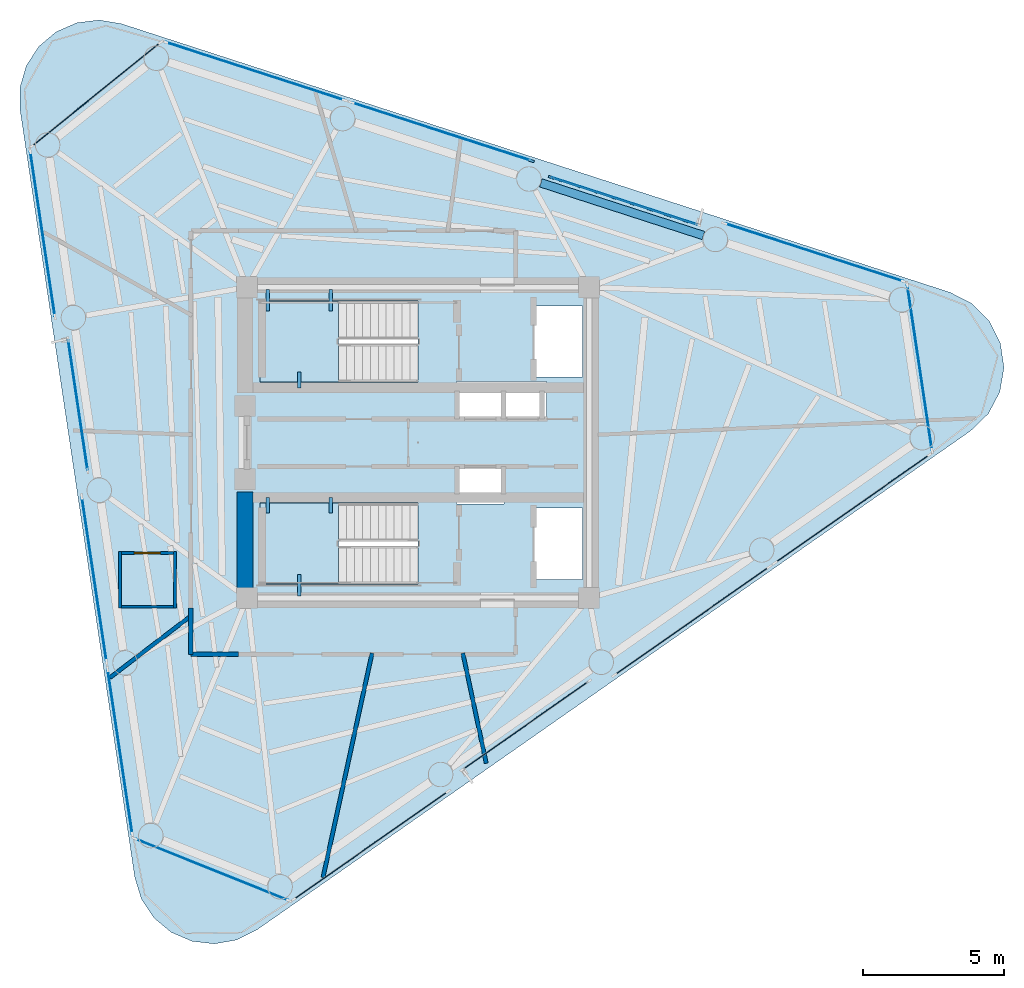
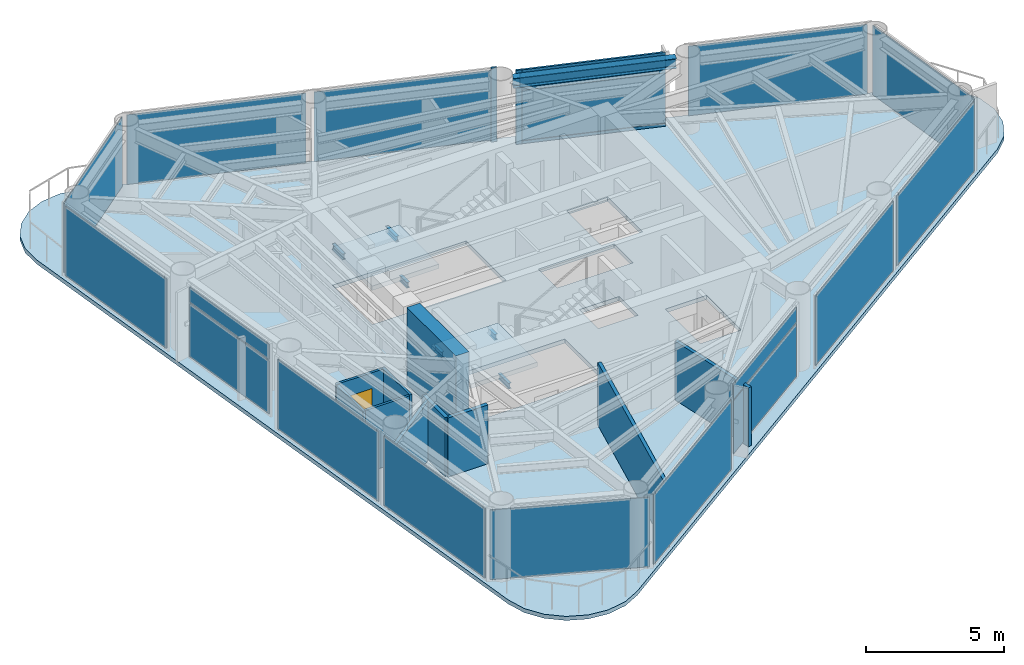
# One storey, part 4 of 9: 18 plates, 10 walls, 7 beams, 5 members, 3 slabs, 1 door, 1 opening, 17 elements without a shape of their own.
"""IFC4 building model written with IfcOpenShell, lengths in metres."""

from ifc_helpers import new_model, si_unit, direction, frame, frame_2d, origin, origin_2d, place, context, subcontext, project, spatial, polyline, rectangle, i_section, outline, extrude, source, transform, mapped, material, layer, layer_set, material_profile, profile_set, type_object, element, fill, aggregate, save


model = new_model("IFC4")

# Units and contexts
model_context = context("Model", 3, precision=1e-05, world=origin(), true_north=direction((0.0, 1.0)))
body_context = subcontext(model_context, "Body", "Model", "MODEL_VIEW")
ifc_project = project(units=[si_unit("LENGTHUNIT", "METRE"), si_unit("AREAUNIT", "SQUARE_METRE"), si_unit("VOLUMEUNIT", "CUBIC_METRE"), si_unit("PLANEANGLEUNIT", "RADIAN"), si_unit("MASSUNIT", "GRAM", prefix="KILO")], contexts=[model_context])

# Site, building, storey
site_placement = place(None, origin())
site = spatial("IfcSite", under=ifc_project, at=site_placement, CompositionType="ELEMENT")
building_placement = place(site_placement, origin())
building = spatial("IfcBuilding", under=site, at=building_placement, Name="Yunling Apex Tower", CompositionType="ELEMENT")
storey_placement = place(building_placement, frame((0.0, 0.0, 260.949951171875)))
storey = spatial("IfcBuildingStorey", under=building, at=storey_placement, Name="L63", CompositionType="ELEMENT", Elevation=260.949951171875)

# Beams
ifc_material_1 = material(Name="Steel Q355B", Category="steel")
ifc_material_profile_1 = material_profile(ifc_material_1, i_section(OverallWidth=0.125, OverallDepth=0.25, WebThickness=0.006103515625, FlangeThickness=0.009033203125, FilletRadius=0.011962890625, at=origin_2d()))
ifc_profile_set_1 = profile_set([ifc_material_profile_1], Name="Steel Q355B")
beam_type_1 = type_object("IfcBeamType", Name="BL-LNT-1", PredefinedType="LINTEL", material=ifc_profile_set_1)
shared_shape_1 = source(origin(), body_context, "Body", "SweptSolid", [
    extrude(i_section(OverallWidth=0.125, OverallDepth=0.25, WebThickness=0.006103515625, FlangeThickness=0.009033203125, FilletRadius=0.011962890625, at=origin_2d()), origin(), (0.0, 0.0, 1.0), 0.760009765625),
])
for number, where, z_axis, x_axis, name in (
    (1, (-5.320068359375, 5.419921875, 1.380126953125), (0.0, -1.0, 0.0), (1.0, 0.0, 0.0), "L63 ST-1 Landing Bearing Corbel 1-1"),
    (2, (-3.090087890625, 5.419921875, 1.380126953125), (0.0, -1.0, 0.0), (1.0, 0.0, 0.0), "L63 ST-1 Landing Bearing Corbel 1-2"),
    (3, (-4.205078125, -5.419921875, 1.380126953125), (0.0, 1.0, 0.0), (-1.0, 0.0, 0.0), "L63 ST-2 Landing Bearing Corbel 1-3"),
):
    element("IfcBeam", number, at=place(storey_placement, frame(where, z_axis=z_axis, x_axis=x_axis)), inside=storey, type_object=beam_type_1, Name=name, PredefinedType="LINTEL", context=body_context, shape_type="MappedRepresentation", body=[
        mapped(shared_shape_1, transform((0.0, 0.0, 0.0), scale=1.0)),
    ])
shared_shape_2 = source(origin(), body_context, "Body", "SweptSolid", [
    extrude(i_section(OverallWidth=0.125, OverallDepth=0.25, WebThickness=0.006103515625, FlangeThickness=0.009033203125, FilletRadius=0.011962890625, at=origin_2d()), origin(), (0.0, 0.0, 1.0), 0.550048828125),
])
for number, where, z_axis, x_axis, name in (
    (4, (-4.205078125, 1.93994140625, 1.380126953125), (0.0, 1.0, 0.0), (-1.0, 0.0, 0.0), "L63 ST-1 Landing Bearing Corbel 1-3"),
    (5, (-5.320068359375, -1.93994140625, 1.380126953125), (0.0, -1.0, 0.0), (1.0, 0.0, 0.0), "L63 ST-2 Landing Bearing Corbel 1-1"),
    (6, (-3.090087890625, -1.93994140625, 1.380126953125), (0.0, -1.0, 0.0), (1.0, 0.0, 0.0), "L63 ST-2 Landing Bearing Corbel 1-2"),
):
    element("IfcBeam", number, at=place(storey_placement, frame(where, z_axis=z_axis, x_axis=x_axis)), inside=storey, type_object=beam_type_1, Name=name, PredefinedType="LINTEL", context=body_context, shape_type="MappedRepresentation", body=[
        mapped(shared_shape_2, transform((0.0, 0.0, 0.0), scale=1.0)),
    ])
ifc_material_profile_2 = material_profile(ifc_material_1, i_section(OverallWidth=0.300048828125, OverallDepth=0.43994140625, WebThickness=0.010986328125, FlangeThickness=0.01806640625, FilletRadius=0.02197265625, at=origin_2d()))
ifc_profile_set_2 = profile_set([ifc_material_profile_2], Name="Steel Q355B")
beam_type_2 = type_object("IfcBeamType", Name="BP-SPN-3", PredefinedType="SPANDREL", material=ifc_profile_set_2)
shared_shape_3 = source(origin(), body_context, "Body", "SweptSolid", [
    extrude(i_section(OverallWidth=0.300048828125, OverallDepth=0.43994140625, WebThickness=0.010986328125, FlangeThickness=0.01806640625, FilletRadius=0.02197265625, at=origin_2d()), origin(), (0.0, 0.0, 1.0), 6.04345703125),
])
beam_placement = place(storey_placement, frame((10.09375, 7.326904296875, 3.0), z_axis=(-0.951272468705, 0.308351569289, 0.0), x_axis=(-0.308351569289, -0.951272468705, 0.0)))
element("IfcBeam", 7, at=beam_placement, inside=storey, type_object=beam_type_2, Name="L63 Perimeter Spandrel Beam 7", PredefinedType="SPANDREL", context=body_context, shape_type="MappedRepresentation", body=[
    mapped(shared_shape_3, transform((0.0, 0.0, 0.0), scale=1.0)),
])

# Curtain wall, member
ifc_material_2 = material(Name="Bronze anodised aluminium", Category="aluminium")
ifc_layer_1 = layer(ifc_material_2, 0.219970703125)
ifc_layer_set_1 = layer_set([ifc_layer_1], Name="Bronze anodised aluminium")
curtain_wall_type = type_object("IfcCurtainWallType", Name="CW-SYS-4", PredefinedType="NOTDEFINED", material=ifc_layer_set_1)
curtain_wall_1_placement = place(storey_placement, origin())
curtain_wall_1 = element("IfcCurtainWall", 8, at=curtain_wall_1_placement, inside=storey, type_object=curtain_wall_type, Name="CW-L63-F2-B2", PredefinedType="NOTDEFINED")
ifc_material_profile_3 = material_profile(ifc_material_2, rectangle(XDim=0.080078125, YDim=0.219970703125, at=origin_2d()))
ifc_profile_set_3 = profile_set([ifc_material_profile_3], Name="Bronze anodised aluminium")
member_type_1 = type_object("IfcMemberType", Name="CW-MUL-4", PredefinedType="MULLION", material=ifc_profile_set_3)
shared_shape_4 = source(origin(), body_context, "Body", "SweptSolid", [
    extrude(rectangle(XDim=0.080078125, YDim=0.219970703125, at=origin_2d()), origin(), (0.0, 0.0, 1.0), 3.320068359375),
])
member_1_placement = place(storey_placement, frame((4.71875, 9.384521484375, -0.050048828125), z_axis=(0.0, 0.0, 1.0), x_axis=(-0.30836941685, -0.951266683297, 0.0)))
member_1 = element("IfcMember", 9, at=member_1_placement, type_object=member_type_1, Name="CW-SYS-4 mullion 2", PredefinedType="MULLION", context=body_context, shape_type="MappedRepresentation", body=[
    mapped(shared_shape_4, transform((0.0, 0.0, 0.0), scale=1.0)),
])

curtain_wall_2_placement = place(storey_placement, origin())
curtain_wall_2 = element("IfcCurtainWall", 10, at=curtain_wall_2_placement, inside=storey, type_object=curtain_wall_type, Name="CW-L63-F2-B3", PredefinedType="NOTDEFINED")
member_2_placement = place(storey_placement, frame((4.00537109375, 9.97314453125, -0.050048828125), z_axis=(0.0, 0.0, 1.0), x_axis=(-0.308371076658, -0.95126614524, 0.0)))
member_2 = element("IfcMember", 11, at=member_2_placement, type_object=member_type_1, Name="CW-SYS-4 mullion 1", PredefinedType="MULLION", context=body_context, shape_type="MappedRepresentation", body=[
    mapped(shared_shape_4, transform((0.0, 0.0, 0.0), scale=1.0)),
])

# Member
ifc_material_profile_4 = material_profile(ifc_material_2, rectangle(XDim=0.080078125, YDim=0.169921875, at=origin_2d()))
ifc_profile_set_4 = profile_set([ifc_material_profile_4], Name="Bronze anodised aluminium")
member_type_2 = type_object("IfcMemberType", Name="CW-TRN-4", PredefinedType="USERDEFINED", material=ifc_profile_set_4)
shared_shape_5 = source(origin(), body_context, "Body", "SweptSolid", [
    extrude(rectangle(XDim=0.080078125, YDim=0.169921875, at=origin_2d()), origin(), (0.0, 0.0, 1.0), 5.3798828125),
])
member_3_placement = place(storey_placement, frame((9.87060546875, 7.71435546875, 0.0400390625), z_axis=(-0.951269238612, 0.308361534032, 0.0), x_axis=(-0.308361534032, -0.951269238612, 0.0)))
member_3 = element("IfcMember", 12, at=member_3_placement, type_object=member_type_2, Name="CW-SYS-4 transom 1.1", ObjectType="TRANSOM", PredefinedType="USERDEFINED", context=body_context, shape_type="MappedRepresentation", body=[
    mapped(shared_shape_5, transform((0.0, 0.0, 0.0), scale=1.0)),
])

member_4_placement = place(storey_placement, frame((9.87060546875, 7.71435546875, 2.447265625), z_axis=(-0.951269238612, 0.308361534032, 0.0), x_axis=(-0.308361534032, -0.951269238612, 0.0)))
member_4 = element("IfcMember", 13, at=member_4_placement, type_object=member_type_2, Name="CW-SYS-4 transom 1.2", ObjectType="TRANSOM", PredefinedType="USERDEFINED", context=body_context, shape_type="MappedRepresentation", body=[
    mapped(shared_shape_5, transform((0.0, 0.0, 0.0), scale=1.0)),
])

member_5_placement = place(storey_placement, frame((9.87060546875, 7.71435546875, 3.179931640625), z_axis=(-0.951269238612, 0.308361534032, 0.0), x_axis=(-0.308361534032, -0.951269238612, 0.0)))
member_5 = element("IfcMember", 14, at=member_5_placement, type_object=member_type_2, Name="CW-SYS-4 transom 1.3", ObjectType="TRANSOM", PredefinedType="USERDEFINED", context=body_context, shape_type="MappedRepresentation", body=[
    mapped(shared_shape_5, transform((0.0, 0.0, 0.0), scale=1.0)),
])

# Slab
ifc_material_3 = material(Name="Concrete C40", Category="concrete")
ifc_layer_2 = layer(ifc_material_3, 0.155029296875)
ifc_layer_set_2 = layer_set([ifc_layer_2], Name="Concrete C40")
slab_type_1 = type_object("IfcSlabType", Name="SL-FLR-3", PredefinedType="FLOOR", material=ifc_layer_set_2)
slab_1_placement = place(storey_placement, frame((0.0, 0.0, -0.179931640625)))
element("IfcSlab", 15, at=slab_1_placement, inside=storey, type_object=slab_type_1, Name="L63 Composite Tower Floor Slab", PredefinedType="FLOOR", context=body_context, shape_type="SweptSolid", body=[
    extrude(outline(polyline([(-10.026123046875, -15.378173828125), (-9.794189453125, -16.145263671875), (-9.352294921875, -16.81396484375), (-8.737548828125, -17.328125), (-8.001220703125, -17.64501953125), (-7.205078125, -17.7373046875), (-6.415771484375, -17.59814453125), (-5.69921875, -17.23876953125), (19.549072265625, 0.414306640625), (20.177490234375, 1.021728515625), (20.585205078125, 1.794921875), (20.731689453125, 2.656494140625), (20.6025390625, 3.52099609375), (20.21044921875, 4.302001953125), (19.594482421875, 4.922119140625), (18.81591796875, 5.3193359375), (-10.490478515625, 14.819091796875), (-11.280517578125, 14.95361328125), (-12.076171875, 14.855712890625), (-12.810302734375, 14.534423828125), (-13.422119140625, 14.016357421875), (-13.859619140625, 13.344970703125), (-14.086669921875, 12.576416015625), (-14.083984375, 11.77490234375), (-10.026123046875, -15.378173828125)]), holes=[polyline([(4.090087890625, 4.840087890625), (5.81005859375, 4.840087890625), (5.81005859375, 2.320068359375), (4.090087890625, 2.320068359375), (4.090087890625, 4.840087890625)]), polyline([(4.090087890625, -4.840087890625), (4.090087890625, -2.320068359375), (5.81005859375, -2.320068359375), (5.81005859375, -4.840087890625), (4.090087890625, -4.840087890625)]), polyline([(4.534912109375, 0.794921875), (1.364990234375, 0.794921875), (1.364990234375, 2.1650390625), (4.534912109375, 2.1650390625), (4.534912109375, 0.794921875)]), polyline([(1.364990234375, -0.794921875), (3.034912109375, -0.794921875), (3.034912109375, -2.1650390625), (1.364990234375, -2.1650390625), (1.364990234375, -0.794921875)]), polyline([(-0.010009765625, -5.010009765625), (-5.60009765625, -5.010009765625), (-5.60009765625, -2.139892578125), (-0.010009765625, -2.139892578125), (-0.010009765625, -5.010009765625)]), polyline([(-0.010009765625, 2.139892578125), (-5.60009765625, 2.139892578125), (-5.60009765625, 5.010009765625), (-0.010009765625, 5.010009765625), (-0.010009765625, 2.139892578125)])]), origin(), (0.0, 0.0, 1.0), 0.179931640625),
])

# Stair, slab
stair_type = type_object("IfcStairType", Name="ST-TWR-3", PredefinedType="HALF_TURN_STAIR", material=ifc_material_3)
stair_1_placement = place(storey_placement, origin())
stair_1 = element("IfcStair", 16, at=stair_1_placement, inside=storey, type_object=stair_type, Name="L63 North Core Smokeproof Exit Stair ST-1", PredefinedType="HALF_TURN_STAIR")
ifc_layer_3 = layer(ifc_material_3, 0.195068359375)
ifc_layer_set_3 = layer_set([ifc_layer_3], Name="Concrete C40")
slab_type_2 = type_object("IfcSlabType", Name="SL-LND-1", PredefinedType="LANDING", material=ifc_layer_set_3)
slab_2_placement = place(storey_placement, frame((0.0, 0.0, 1.505126953125)))
slab_2 = element("IfcSlab", 17, at=slab_2_placement, type_object=slab_type_2, Name="ST-1 landing 1", PredefinedType="LANDING", context=body_context, shape_type="SweptSolid", body=[
    extrude(outline(polyline([(-2.81005859375, 5.010009765625), (-5.60009765625, 5.010009765625), (-5.60009765625, 2.139892578125), (-2.81005859375, 2.139892578125), (-2.81005859375, 5.010009765625)])), origin(), (0.0, 0.0, 1.0), 0.19482421875),
])
aggregate(stair_1, [slab_2])

stair_2_placement = place(storey_placement, origin())
stair_2 = element("IfcStair", 18, at=stair_2_placement, inside=storey, type_object=stair_type, Name="L63 South Core Smokeproof Exit Stair ST-2", PredefinedType="HALF_TURN_STAIR")
slab_3_placement = place(storey_placement, frame((0.0, 0.0, 1.505126953125)))
slab_3 = element("IfcSlab", 19, at=slab_3_placement, type_object=slab_type_2, Name="ST-2 landing 1", PredefinedType="LANDING", context=body_context, shape_type="SweptSolid", body=[
    extrude(outline(polyline([(-2.81005859375, -2.139892578125), (-5.60009765625, -2.139892578125), (-5.60009765625, -5.010009765625), (-2.81005859375, -5.010009765625), (-2.81005859375, -2.139892578125)])), origin(), (0.0, 0.0, 1.0), 0.19482421875),
])
aggregate(stair_2, [slab_3])

# Curtain wall, plate
curtain_wall_3_placement = place(storey_placement, origin())
curtain_wall_3 = element("IfcCurtainWall", 20, at=curtain_wall_3_placement, inside=storey, type_object=curtain_wall_type, Name="CW-L63-F1-B1", PredefinedType="NOTDEFINED")
ifc_material_4 = material(Name="Bronze tinted low-E glass", Category="glass")
ifc_layer_4 = layer(ifc_material_4, 0.030029296875)
ifc_layer_set_4 = layer_set([ifc_layer_4], Name="Bronze tinted low-E glass")
plate_type = type_object("IfcPlateType", Name="CW-PNL-4", PredefinedType="CURTAIN_PANEL", material=ifc_layer_set_4)
shared_shape_6 = source(origin(), body_context, "Body", "SweptSolid", [
    extrude(rectangle(XDim=6.627685546875, YDim=0.030029296875, at=origin_2d()), origin(), (0.0, 0.0, 1.0), 3.075927734375),
])
plate_1_placement = place(storey_placement, frame((-1.6767578125, -14.25537109375, 0.072265625), z_axis=(0.0, 0.0, 1.0), x_axis=(0.819555084976, 0.573000403744, 0.0)))
plate_1 = element("IfcPlate", 21, at=plate_1_placement, type_object=plate_type, Name="CW-SYS-4 panel 1.1", PredefinedType="CURTAIN_PANEL", context=body_context, shape_type="MappedRepresentation", body=[
    mapped(shared_shape_6, transform((0.0, 0.0, 0.0), scale=1.0)),
])
aggregate(curtain_wall_3, [plate_1])

curtain_wall_4_placement = place(storey_placement, origin())
curtain_wall_4 = element("IfcCurtainWall", 22, at=curtain_wall_4_placement, inside=storey, type_object=curtain_wall_type, Name="CW-L63-F1-B3", PredefinedType="NOTDEFINED")
plate_2_placement = place(storey_placement, frame((9.68505859375, -6.3115234375, 0.072265625), z_axis=(0.0, 0.0, 1.0), x_axis=(0.81954815017, 0.573010322379, 0.0)))
plate_2 = element("IfcPlate", 23, at=plate_2_placement, type_object=plate_type, Name="CW-SYS-4 panel 1.1", PredefinedType="CURTAIN_PANEL", context=body_context, shape_type="MappedRepresentation", body=[
    mapped(shared_shape_6, transform((0.0, 0.0, 0.0), scale=1.0)),
])
aggregate(curtain_wall_4, [plate_2])

curtain_wall_5_placement = place(storey_placement, origin())
curtain_wall_5 = element("IfcCurtainWall", 24, at=curtain_wall_5_placement, inside=storey, type_object=curtain_wall_type, Name="CW-L63-F1-B4", PredefinedType="NOTDEFINED")
plate_3_placement = place(storey_placement, frame((15.365966796875, -2.339599609375, 0.072265625), z_axis=(0.0, 0.0, 1.0), x_axis=(0.819555084976, 0.573000403744, 0.0)))
plate_3 = element("IfcPlate", 25, at=plate_3_placement, type_object=plate_type, Name="CW-SYS-4 panel 1.1", PredefinedType="CURTAIN_PANEL", context=body_context, shape_type="MappedRepresentation", body=[
    mapped(shared_shape_6, transform((0.0, 0.0, 0.0), scale=1.0)),
])
aggregate(curtain_wall_5, [plate_3])

curtain_wall_6_placement = place(storey_placement, origin())
curtain_wall_6 = element("IfcCurtainWall", 26, at=curtain_wall_6_placement, inside=storey, type_object=curtain_wall_type, Name="CW-L63-F2-B1", PredefinedType="NOTDEFINED")
plate_4_placement = place(storey_placement, frame((14.010498046875, 6.72998046875, 0.072265625), z_axis=(0.0, 0.0, 1.0), x_axis=(-0.951271881173, 0.308353381834, 0.0)))
plate_4 = element("IfcPlate", 27, at=plate_4_placement, type_object=plate_type, Name="CW-SYS-4 panel 1.1", PredefinedType="CURTAIN_PANEL", context=body_context, shape_type="MappedRepresentation", body=[
    mapped(shared_shape_6, transform((0.0, 0.0, 0.0), scale=1.0)),
])
aggregate(curtain_wall_6, [plate_4])

# Plate
plate_5_placement = place(storey_placement, frame((0.82275390625, 11.0048828125, 0.072265625), z_axis=(0.0, 0.0, 1.0), x_axis=(-0.95126614524, 0.308371076658, 0.0)))
plate_5 = element("IfcPlate", 28, at=plate_5_placement, type_object=plate_type, Name="CW-SYS-4 panel 1.1", PredefinedType="CURTAIN_PANEL", context=body_context, shape_type="MappedRepresentation", body=[
    mapped(shared_shape_6, transform((0.0, 0.0, 0.0), scale=1.0)),
])

aggregate(curtain_wall_2, [member_2, plate_5])

# Curtain wall, plate
curtain_wall_7_placement = place(storey_placement, origin())
curtain_wall_7 = element("IfcCurtainWall", 29, at=curtain_wall_7_placement, inside=storey, type_object=curtain_wall_type, Name="CW-L63-F2-B4", PredefinedType="NOTDEFINED")
plate_6_placement = place(storey_placement, frame((-5.771240234375, 13.142333984375, 0.072265625), z_axis=(0.0, 0.0, 1.0), x_axis=(-0.951271881173, 0.308353381834, 0.0)))
plate_6 = element("IfcPlate", 30, at=plate_6_placement, type_object=plate_type, Name="CW-SYS-4 panel 1.1", PredefinedType="CURTAIN_PANEL", context=body_context, shape_type="MappedRepresentation", body=[
    mapped(shared_shape_6, transform((0.0, 0.0, 0.0), scale=1.0)),
])
aggregate(curtain_wall_7, [plate_6])

curtain_wall_8_placement = place(storey_placement, origin())
curtain_wall_8 = element("IfcCurtainWall", 31, at=curtain_wall_8_placement, inside=storey, type_object=curtain_wall_type, Name="CW-L63-F1-B2", PredefinedType="NOTDEFINED")
shared_shape_7 = source(origin(), body_context, "Body", "SweptSolid", [
    extrude(rectangle(XDim=5.3876953125, YDim=0.030029296875, at=origin_2d()), origin(), (0.0, 0.0, 1.0), 2.34326171875),
])
plate_7_placement = place(storey_placement, frame((3.809326171875, -10.0048828125, 0.072021484375), z_axis=(0.0, 0.0, 1.0), x_axis=(0.819556211708, 0.57299879219, 0.0)))
plate_7 = element("IfcPlate", 32, at=plate_7_placement, type_object=plate_type, Name="CW-SYS-4 panel 1.1", PredefinedType="CURTAIN_PANEL", context=body_context, shape_type="MappedRepresentation", body=[
    mapped(shared_shape_7, transform((0.0, 0.0, 0.0), scale=1.0)),
])

# Plate
plate_8_placement = place(storey_placement, frame((7.311767578125, 8.5439453125, 0.072021484375), z_axis=(0.0, 0.0, 1.0), x_axis=(-0.951266683297, 0.30836941685, 0.0)))
plate_8 = element("IfcPlate", 33, at=plate_8_placement, type_object=plate_type, Name="CW-SYS-4 panel 1.1", PredefinedType="CURTAIN_PANEL", context=body_context, shape_type="MappedRepresentation", body=[
    mapped(shared_shape_7, transform((0.0, 0.0, 0.0), scale=1.0)),
])

shared_shape_8 = source(origin(), body_context, "Body", "SweptSolid", [
    extrude(rectangle(XDim=5.3876953125, YDim=0.030029296875, at=origin_2d()), origin(), (0.0, 0.0, 1.0), 0.668701171875),
])
plate_9_placement = place(storey_placement, frame((3.809326171875, -10.0048828125, 2.4794921875), z_axis=(0.0, 0.0, 1.0), x_axis=(0.819556211708, 0.57299879219, 0.0)))
plate_9 = element("IfcPlate", 34, at=plate_9_placement, type_object=plate_type, Name="CW-SYS-4 panel 1.2", PredefinedType="CURTAIN_PANEL", context=body_context, shape_type="MappedRepresentation", body=[
    mapped(shared_shape_8, transform((0.0, 0.0, 0.0), scale=1.0)),
])

aggregate(curtain_wall_8, [plate_7, plate_9])

plate_10_placement = place(storey_placement, frame((7.311767578125, 8.5439453125, 2.4794921875), z_axis=(0.0, 0.0, 1.0), x_axis=(-0.951266683297, 0.30836941685, 0.0)))
plate_10 = element("IfcPlate", 35, at=plate_10_placement, type_object=plate_type, Name="CW-SYS-4 panel 1.2", PredefinedType="CURTAIN_PANEL", context=body_context, shape_type="MappedRepresentation", body=[
    mapped(shared_shape_8, transform((0.0, 0.0, 0.0), scale=1.0)),
])

aggregate(curtain_wall_1, [member_1, member_3, member_4, member_5, plate_8, plate_10])

# Curtain wall, plate
curtain_wall_9_placement = place(storey_placement, origin())
curtain_wall_9 = element("IfcCurtainWall", 36, at=curtain_wall_9_placement, inside=storey, type_object=curtain_wall_type, Name="CW-L63-CRN1", PredefinedType="NOTDEFINED")
shared_shape_9 = source(origin(), body_context, "Body", "SweptSolid", [
    extrude(rectangle(XDim=5.90185546875, YDim=0.030029296875, at=origin_2d()), origin(), (0.0, 0.0, 1.0), 3.075927734375),
])
plate_11_placement = place(storey_placement, frame((17.748291015625, 2.65234375, 0.072265625), z_axis=(0.0, 0.0, 1.0), x_axis=(-0.147802573571, 0.989016885218, 0.0)))
plate_11 = element("IfcPlate", 37, at=plate_11_placement, type_object=plate_type, Name="CW-SYS-4 panel 1.1", PredefinedType="CURTAIN_PANEL", context=body_context, shape_type="MappedRepresentation", body=[
    mapped(shared_shape_9, transform((0.0, 0.0, 0.0), scale=1.0)),
])
aggregate(curtain_wall_9, [plate_11])

curtain_wall_10_placement = place(storey_placement, origin())
curtain_wall_10 = element("IfcCurtainWall", 38, at=curtain_wall_10_placement, inside=storey, type_object=curtain_wall_type, Name="CW-L63-CRN2", PredefinedType="NOTDEFINED")
shared_shape_10 = source(origin(), body_context, "Body", "SweptSolid", [
    extrude(rectangle(XDim=5.829345703125, YDim=0.030029296875, at=origin_2d()), origin(), (0.0, 0.0, 1.0), 3.075927734375),
])
plate_12_placement = place(storey_placement, frame((-11.398681640625, 12.31640625, 0.072265625), z_axis=(0.0, 0.0, 1.0), x_axis=(-0.778222477019, -0.627988675266, 0.0)))
plate_12 = element("IfcPlate", 39, at=plate_12_placement, type_object=plate_type, Name="CW-SYS-4 panel 1.1", PredefinedType="CURTAIN_PANEL", context=body_context, shape_type="MappedRepresentation", body=[
    mapped(shared_shape_10, transform((0.0, 0.0, 0.0), scale=1.0)),
])
aggregate(curtain_wall_10, [plate_12])

curtain_wall_11_placement = place(storey_placement, origin())
curtain_wall_11 = element("IfcCurtainWall", 40, at=curtain_wall_11_placement, inside=storey, type_object=curtain_wall_type, Name="CW-L63-CRN3", PredefinedType="NOTDEFINED")
plate_13_placement = place(storey_placement, frame((-7.2998046875, -15.11083984375, 0.072265625), z_axis=(0.0, 0.0, 1.0), x_axis=(0.927827569859, -0.373009384078, 0.0)))
plate_13 = element("IfcPlate", 41, at=plate_13_placement, type_object=plate_type, Name="CW-SYS-4 panel 1.1", PredefinedType="CURTAIN_PANEL", context=body_context, shape_type="MappedRepresentation", body=[
    mapped(shared_shape_10, transform((0.0, 0.0, 0.0), scale=1.0)),
])
aggregate(curtain_wall_11, [plate_13])

curtain_wall_12_placement = place(storey_placement, origin())
curtain_wall_12 = element("IfcCurtainWall", 42, at=curtain_wall_12_placement, inside=storey, type_object=curtain_wall_type, Name="CW-L63-F3-B1", PredefinedType="NOTDEFINED")
shared_shape_11 = source(origin(), body_context, "Body", "SweptSolid", [
    extrude(rectangle(XDim=5.873291015625, YDim=0.030029296875, at=origin_2d()), origin(), (0.0, 0.0, 1.0), 3.075927734375),
])
plate_14_placement = place(storey_placement, frame((-13.2861328125, 7.38330078125, 0.072265625), z_axis=(0.0, 0.0, 1.0), x_axis=(0.147807330522, -0.989016174309, 0.0)))
plate_14 = element("IfcPlate", 43, at=plate_14_placement, type_object=plate_type, Name="CW-SYS-4 panel 1.1", PredefinedType="CURTAIN_PANEL", context=body_context, shape_type="MappedRepresentation", body=[
    mapped(shared_shape_11, transform((0.0, 0.0, 0.0), scale=1.0)),
])
aggregate(curtain_wall_12, [plate_14])

curtain_wall_13_placement = place(storey_placement, origin())
curtain_wall_13 = element("IfcCurtainWall", 44, at=curtain_wall_13_placement, inside=storey, type_object=curtain_wall_type, Name="CW-L63-F3-B3", PredefinedType="NOTDEFINED")
plate_15_placement = place(storey_placement, frame((-11.460205078125, -4.835693359375, 0.072265625), z_axis=(0.0, 0.0, 1.0), x_axis=(0.147807330522, -0.989016174309, 0.0)))
plate_15 = element("IfcPlate", 45, at=plate_15_placement, type_object=plate_type, Name="CW-SYS-4 panel 1.1", PredefinedType="CURTAIN_PANEL", context=body_context, shape_type="MappedRepresentation", body=[
    mapped(shared_shape_11, transform((0.0, 0.0, 0.0), scale=1.0)),
])
aggregate(curtain_wall_13, [plate_15])

curtain_wall_14_placement = place(storey_placement, origin())
curtain_wall_14 = element("IfcCurtainWall", 46, at=curtain_wall_14_placement, inside=storey, type_object=curtain_wall_type, Name="CW-L63-F3-B4", PredefinedType="NOTDEFINED")
plate_16_placement = place(storey_placement, frame((-10.547119140625, -10.945068359375, 0.072265625), z_axis=(0.0, 0.0, 1.0), x_axis=(0.147791074763, -0.989018603576, 0.0)))
plate_16 = element("IfcPlate", 47, at=plate_16_placement, type_object=plate_type, Name="CW-SYS-4 panel 1.1", PredefinedType="CURTAIN_PANEL", context=body_context, shape_type="MappedRepresentation", body=[
    mapped(shared_shape_11, transform((0.0, 0.0, 0.0), scale=1.0)),
])
aggregate(curtain_wall_14, [plate_16])

# Curtain wall, plates
curtain_wall_15_placement = place(storey_placement, origin())
curtain_wall_15 = element("IfcCurtainWall", 48, at=curtain_wall_15_placement, inside=storey, type_object=curtain_wall_type, Name="CW-L63-F3-B2", PredefinedType="NOTDEFINED")
shared_shape_12 = source(origin(), body_context, "Body", "SweptSolid", [
    extrude(rectangle(XDim=4.63330078125, YDim=0.030029296875, at=origin_2d()), origin(), (0.0, 0.0, 1.0), 2.34326171875),
])
plate_17_placement = place(storey_placement, frame((-12.036865234375, 1.323974609375, 0.072021484375), z_axis=(0.0, 0.0, 1.0), x_axis=(0.147804068926, -0.989016661745, 0.0)))
plate_17 = element("IfcPlate", 49, at=plate_17_placement, type_object=plate_type, Name="CW-SYS-4 panel 1.1", PredefinedType="CURTAIN_PANEL", context=body_context, shape_type="MappedRepresentation", body=[
    mapped(shared_shape_12, transform((0.0, 0.0, 0.0), scale=1.0)),
])
shared_shape_13 = source(origin(), body_context, "Body", "SweptSolid", [
    extrude(rectangle(XDim=4.63330078125, YDim=0.030029296875, at=origin_2d()), origin(), (0.0, 0.0, 1.0), 0.668701171875),
])
plate_18_placement = place(storey_placement, frame((-12.036865234375, 1.323974609375, 2.4794921875), z_axis=(0.0, 0.0, 1.0), x_axis=(0.147804068926, -0.989016661745, 0.0)))
plate_18 = element("IfcPlate", 50, at=plate_18_placement, type_object=plate_type, Name="CW-SYS-4 panel 1.2", PredefinedType="CURTAIN_PANEL", context=body_context, shape_type="MappedRepresentation", body=[
    mapped(shared_shape_13, transform((0.0, 0.0, 0.0), scale=1.0)),
])
aggregate(curtain_wall_15, [plate_17, plate_18])

# Walls
ifc_layer_5 = layer(ifc_material_3, 0.550048828125)
ifc_layer_set_5 = layer_set([ifc_layer_5], Name="Concrete C40")
wall_type_1 = type_object("IfcWallType", Name="WL-COR-3", PredefinedType="SHEAR", material=ifc_layer_set_5)
wall_1_placement = place(storey_placement, frame((-6.125, -5.300048828125, 0.0), z_axis=(0.0, 0.0, 1.0), x_axis=(0.0, 1.0, 0.0)))
element("IfcWall", 51, at=wall_1_placement, inside=storey, type_object=wall_type_1, Name="L63 West-South Core Shear Wall", PredefinedType="SHEAR", context=body_context, shape_type="SweptSolid", body=[
    extrude(rectangle(XDim=3.550048828125, YDim=0.550048828125, at=frame_2d((1.77490234375, 0.0))), origin(), (0.0, 0.0, 1.0), 3.400146484375),
])
ifc_material_5 = material(Name="Gypsum board acoustic partition")
ifc_layer_6 = layer(ifc_material_5, 0.159912109375)
ifc_layer_set_6 = layer_set([ifc_layer_6], Name="Gypsum board acoustic partition")
wall_type_2 = type_object("IfcWallType", Name="WL-PRT-1", PredefinedType="PARTITIONING", material=ifc_layer_set_6)
wall_2_placement = place(storey_placement, frame((-6.360107421875, -7.489990234375, 0.0), z_axis=(0.0, 0.0, 1.0), x_axis=(-1.0, 0.0, 0.0)))
element("IfcWall", 52, at=wall_2_placement, inside=storey, type_object=wall_type_2, Name="WL-CORR-L63-07", PredefinedType="PARTITIONING", context=body_context, shape_type="SweptSolid", body=[
    extrude(rectangle(XDim=1.679931640625, YDim=0.159912109375, at=frame_2d((0.83984375, 0.0))), origin(), (0.0, 0.0, 1.0), 2.60498046875),
])
wall_3_placement = place(storey_placement, frame((-8.0400390625, -7.489990234375, 0.0), z_axis=(0.0, 0.0, 1.0), x_axis=(0.0, 1.0, 0.0)))
element("IfcWall", 53, at=wall_3_placement, inside=storey, type_object=wall_type_2, Name="WL-CORR-L63-08", PredefinedType="PARTITIONING", context=body_context, shape_type="SweptSolid", body=[
    extrude(rectangle(XDim=1.639892578125, YDim=0.159912109375, at=frame_2d((0.81982421875, 0.0))), origin(), (0.0, 0.0, 1.0), 2.60498046875),
])
ifc_layer_7 = layer(ifc_material_5, 0.139892578125)
ifc_layer_set_7 = layer_set([ifc_layer_7], Name="Gypsum board acoustic partition")
wall_type_3 = type_object("IfcWallType", Name="WL-PRT-2", PredefinedType="PARTITIONING", material=ifc_layer_set_7)
wall_4_placement = place(storey_placement, frame((-8.0, -6.101806640625, 0.0), z_axis=(0.0, 0.0, 1.0), x_axis=(-0.795138118829, -0.606428373335, 0.0)))
element("IfcWall", 54, at=wall_4_placement, inside=storey, type_object=wall_type_3, Name="WL-RAD-L63-06", PredefinedType="PARTITIONING", context=body_context, shape_type="SweptSolid", body=[
    extrude(rectangle(XDim=3.64697265625, YDim=0.139892578125, at=frame_2d((1.823486328125, 0.0))), origin(), (0.0, 0.0, 1.0), 2.60498046875),
])
wall_5_placement = place(storey_placement, frame((-1.62890625, -7.449951171875, 0.0), z_axis=(0.0, 0.0, 1.0), x_axis=(-0.213607255038, -0.976919618287, 0.0)))
element("IfcWall", 55, at=wall_5_placement, inside=storey, type_object=wall_type_3, Name="WL-RAD-L63-07", PredefinedType="PARTITIONING", context=body_context, shape_type="SweptSolid", body=[
    extrude(rectangle(XDim=8.1240234375, YDim=0.139892578125, at=frame_2d((4.06201171875, 0.0))), origin(), (0.0, 0.0, 1.0), 2.76513671875),
])
wall_6_placement = place(storey_placement, frame((1.58349609375, -7.449951171875, 0.0), z_axis=(0.0, 0.0, 1.0), x_axis=(0.207930561362, -0.978143589485, 0.0)))
element("IfcWall", 56, at=wall_6_placement, inside=storey, type_object=wall_type_3, Name="WL-RAD-L63-08", PredefinedType="PARTITIONING", context=body_context, shape_type="SweptSolid", body=[
    extrude(rectangle(XDim=3.985107421875, YDim=0.139892578125, at=frame_2d((1.99267578125, 0.0))), origin(), (0.0, 0.0, 1.0), 2.60498046875),
])

# Wall, opening, door
ifc_layer_8 = layer(ifc_material_5, 0.10009765625)
ifc_layer_set_8 = layer_set([ifc_layer_8], Name="Gypsum board acoustic partition")
wall_type_4 = type_object("IfcWallType", Name="WL-PRT-4", PredefinedType="PARTITIONING", material=ifc_layer_set_8)
wall_7_placement = place(storey_placement, frame((-10.60302734375, -3.906982421875, 0.0), z_axis=(0.0, 0.0, 1.0), x_axis=(1.0, 0.0, 0.0)))
wall_7 = element("IfcWall", 57, at=wall_7_placement, inside=storey, type_object=wall_type_4, Name="WL-L63-RWC1N", PredefinedType="PARTITIONING", context=body_context, shape_type="SweptSolid", body=[
    extrude(rectangle(XDim=2.050048828125, YDim=0.10009765625, at=frame_2d((1.02490234375, 0.0))), origin(), (0.0, 0.0, 1.0), 2.804931640625),
])
opening_placement = place(wall_7_placement, frame((0.56494140625, 0.0, 0.0)))
opening = element("IfcOpeningElement", 58, at=opening_placement, cuts=wall_7, Name="Opening DR-WC-1", PredefinedType="OPENING", context=body_context, shape_type="SweptSolid", body=[
    extrude(rectangle(XDim=0.919921875, YDim=2.10009765625, at=frame_2d((0.4599609375, 1.050048828125))), frame((0.0, 0.06005859375, 0.0), z_axis=(0.0, -1.0, 0.0), x_axis=(1.0, 0.0, 0.0)), (0.0, 0.0, 1.0), 0.1201171875),
])
ifc_material_6 = material(Name="Timber moisture-resistant leaf", Category="wood")
door_type = type_object("IfcDoorType", Name="DR-WC-1", OperationType="NOTDEFINED", PredefinedType="DOOR", material=ifc_material_6)
door_placement = place(opening_placement, origin())
door = element("IfcDoor", 59, at=door_placement, inside=storey, type_object=door_type, Name="L63 Accessible WC Door", OperationType="SINGLE_SWING_RIGHT", OverallHeight=2.10009765625, OverallWidth=0.919921875, PredefinedType="DOOR", context=body_context, shape_type="SweptSolid", body=[
    extrude(rectangle(XDim=0.919921875, YDim=2.10009765625, at=frame_2d((0.4599609375, 1.050048828125))), frame((0.0, 0.02490234375, 0.0), z_axis=(0.0, -1.0, 0.0), x_axis=(1.0, 0.0, 0.0)), (0.0, 0.0, 1.0), 0.050048828125),
])
fill(opening, door)

# Walls
wall_8_placement = place(storey_placement, frame((-8.552978515625, -5.806884765625, 0.0), z_axis=(0.0, 0.0, 1.0), x_axis=(-1.0, 0.0, 0.0)))
element("IfcWall", 60, at=wall_8_placement, inside=storey, type_object=wall_type_4, Name="WL-L63-RWC1S", PredefinedType="PARTITIONING", context=body_context, shape_type="SweptSolid", body=[
    extrude(rectangle(XDim=2.050048828125, YDim=0.10009765625, at=frame_2d((1.02490234375, 0.0))), origin(), (0.0, 0.0, 1.0), 2.76513671875),
])
wall_9_placement = place(storey_placement, frame((-8.60302734375, -3.85693359375, 0.0), z_axis=(0.0, 0.0, 1.0), x_axis=(0.0, -1.0, 0.0)))
element("IfcWall", 61, at=wall_9_placement, inside=storey, type_object=wall_type_4, Name="WL-L63-RWC1E", PredefinedType="PARTITIONING", context=body_context, shape_type="SweptSolid", body=[
    extrude(rectangle(XDim=2.0, YDim=0.10009765625, at=frame_2d((1.0, 0.0))), origin(), (0.0, 0.0, 1.0), 2.804931640625),
])
wall_10_placement = place(storey_placement, frame((-10.552978515625, -5.85693359375, 0.0), z_axis=(0.0, 0.0, 1.0), x_axis=(0.0, 1.0, 0.0)))
element("IfcWall", 62, at=wall_10_placement, inside=storey, type_object=wall_type_4, Name="WL-L63-RWC1W", PredefinedType="PARTITIONING", context=body_context, shape_type="SweptSolid", body=[
    extrude(rectangle(XDim=2.0, YDim=0.10009765625, at=frame_2d((1.0, 0.0))), origin(), (0.0, 0.0, 1.0), 2.76513671875),
])

save(model, "model.ifc")
